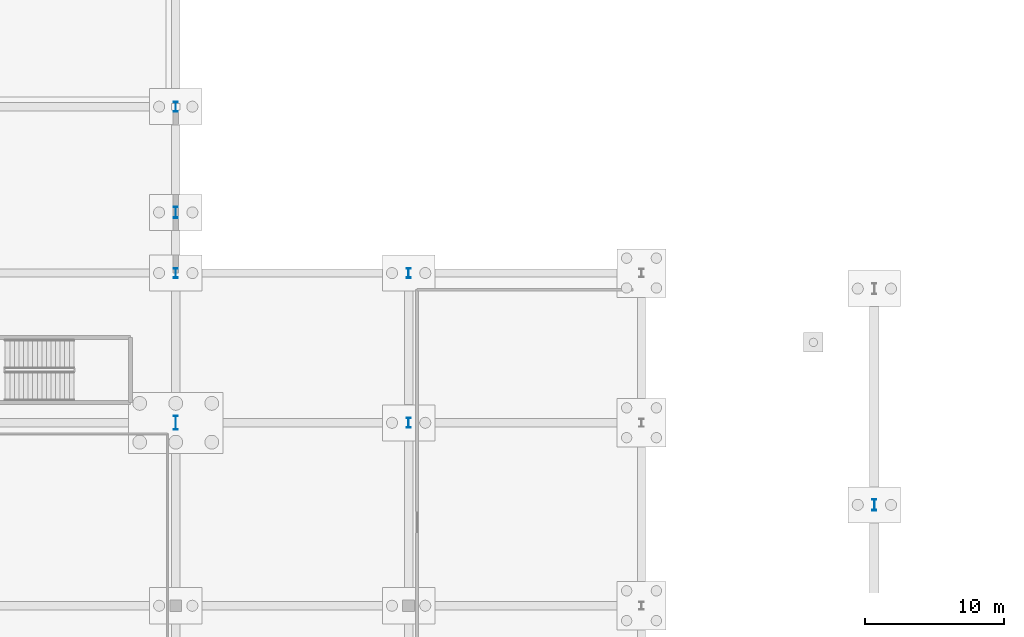
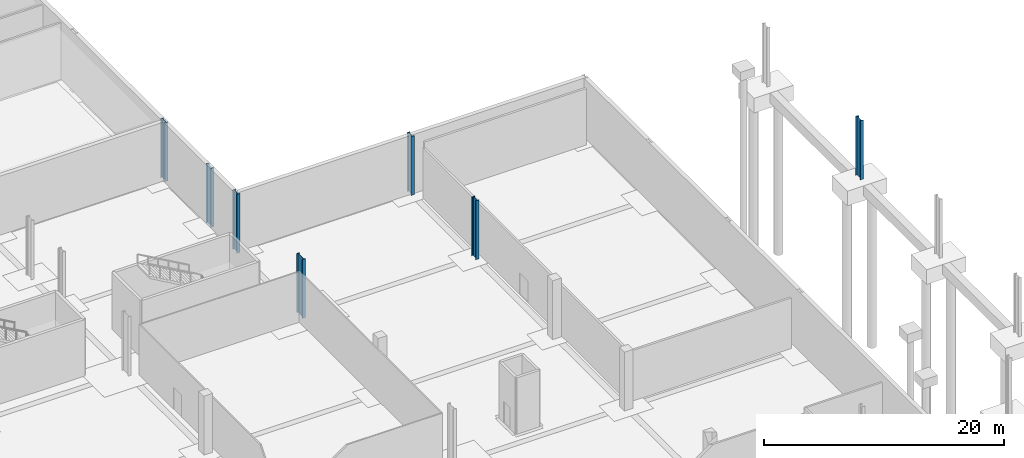
# One storey, part 18 of 46: 7 columns.
"""IFC4 building model written with IfcOpenShell, lengths in metres."""

from ifc_helpers import new_model, si_unit, direction, frame, origin, origin_2d, place, context, subcontext, project, spatial, i_section, extrude, material, material_profile, profile_set, type_object, element, save


model = new_model("IFC4")

# Units and contexts
model_context = context("Model", 3, precision=1e-05, world=origin(), true_north=direction((0.0, 1.0)))
body_context = subcontext(model_context, "Body", "Model", "MODEL_VIEW")
ifc_project = project(units=[si_unit("LENGTHUNIT", "METRE"), si_unit("AREAUNIT", "SQUARE_METRE"), si_unit("VOLUMEUNIT", "CUBIC_METRE"), si_unit("PLANEANGLEUNIT", "RADIAN"), si_unit("MASSUNIT", "GRAM", prefix="KILO")], contexts=[model_context])

# Site, building, storey
site_placement = place(None, origin())
site = spatial("IfcSite", under=ifc_project, at=site_placement, CompositionType="ELEMENT")
building_placement = place(site_placement, origin())
building = spatial("IfcBuilding", under=site, at=building_placement, Name="Kimbaza Rail Terminus", CompositionType="ELEMENT")
storey_placement = place(building_placement, frame((0.0, 0.0, -6.0)))
storey = spatial("IfcBuildingStorey", under=building, at=storey_placement, Name="B1", CompositionType="ELEMENT", Elevation=-6.0)

# Columns
ifc_material_1 = material(Name="Steel S355", Category="steel")
ifc_material_profile_1 = material_profile(ifc_material_1, i_section(OverallWidth=0.302001953125, OverallDepth=1.008056640625, WebThickness=0.02099609375, FlangeThickness=0.0400390625, FilletRadius=0.030029296875, at=origin_2d()), Name="HEM 1000")
ifc_profile_set_1 = profile_set([ifc_material_profile_1], Name="Steel S355")
column_type_1 = type_object("IfcColumnType", Name="STR-COL-HEM1000", PredefinedType="COLUMN", material=ifc_profile_set_1)
column_placement = place(storey_placement, frame((156.0, 80.199951171875, 0.0), z_axis=(0.0, 0.0, 1.0), x_axis=(1.0, 0.0, 0.0)))
element("IfcColumn", 1, at=column_placement, inside=storey, type_object=column_type_1, Name="North Transfer Pier B1 (6,0)", PredefinedType="COLUMN", context=body_context, shape_type="SweptSolid", body=[
    extrude(i_section(OverallWidth=0.302001953125, OverallDepth=1.008056640625, WebThickness=0.02099609375, FlangeThickness=0.0400390625, FilletRadius=0.030029296875, at=origin_2d()), origin(), (0.0, 0.0, 1.0), 6.0),
])
ifc_material_2 = material(Name="Steel S355", Category="steel")
ifc_material_profile_2 = material_profile(ifc_material_2, i_section(OverallWidth=0.303955078125, OverallDepth=0.716064453125, WebThickness=0.02099609375, FlangeThickness=0.0400390625, FilletRadius=0.027099609375, at=origin_2d()), Name="HEM 700")
ifc_profile_set_2 = profile_set([ifc_material_profile_2], Name="Steel S355")
column_type_2 = type_object("IfcColumnType", Name="STR-COL-HEM700", PredefinedType="COLUMN", material=ifc_profile_set_2)
for number, where, z_axis, x_axis, name in (
    (2, (156.0, 103.0, 0.0), (0.0, 0.0, 1.0), (1.0, 0.0, 0.0), "Operations Column B1 (6,0)"),
    (3, (156.0, 91.0, 0.0), (0.0, 0.0, 1.0), (1.0, 0.0, 0.0), "North Transfer Pier B1 (6,1)"),
    (4, (172.800048828125, 80.199951171875, 0.0), (0.0, 0.0, 1.0), (1.0, 0.0, 0.0), "North Transfer Pier B1 (7,0)"),
    (5, (172.800048828125, 91.0, 0.0), (0.0, 0.0, 1.0), (1.0, 0.0, 0.0), "North Transfer Pier B1 (7,1)"),
):
    element("IfcColumn", number, at=place(storey_placement, frame(where, z_axis=z_axis, x_axis=x_axis)), inside=storey, type_object=column_type_2, Name=name, PredefinedType="COLUMN", context=body_context, shape_type="SweptSolid", body=[
        extrude(i_section(OverallWidth=0.303955078125, OverallDepth=0.716064453125, WebThickness=0.02099609375, FlangeThickness=0.0400390625, FilletRadius=0.027099609375, at=origin_2d()), origin(), (0.0, 0.0, 1.0), 6.0),
    ])
ifc_material_3 = material(Name="Steel S355", Category="steel")
ifc_material_profile_3 = material_profile(ifc_material_3, i_section(OverallWidth=0.302978515625, OverallDepth=0.81396484375, WebThickness=0.02099609375, FlangeThickness=0.0400390625, FilletRadius=0.030029296875, at=origin_2d()), Name="HEM 800")
ifc_profile_set_3 = profile_set([ifc_material_profile_3], Name="Steel S355")
column_type_3 = type_object("IfcColumnType", Name="STR-COL-HEM800", PredefinedType="COLUMN", material=ifc_profile_set_3)
for number, where, z_axis, x_axis, name in (
    (6, (206.39990234375, 74.27587890625, 0.0), (0.0, 0.0, 1.0), (1.0, 0.0, 0.0), "Viaduct Pier Column B1 VP-12"),
    (7, (156.0, 95.375732421875, 0.0), (0.0, 0.0, 1.0), (1.0, 0.0, 0.0), "North Vault Springing Pier B1 VP-09"),
):
    element("IfcColumn", number, at=place(storey_placement, frame(where, z_axis=z_axis, x_axis=x_axis)), inside=storey, type_object=column_type_3, Name=name, PredefinedType="COLUMN", context=body_context, shape_type="SweptSolid", body=[
        extrude(i_section(OverallWidth=0.302978515625, OverallDepth=0.81396484375, WebThickness=0.02099609375, FlangeThickness=0.0400390625, FilletRadius=0.030029296875, at=origin_2d()), origin(), (0.0, 0.0, 1.0), 6.0),
    ])

save(model, "model.ifc")
